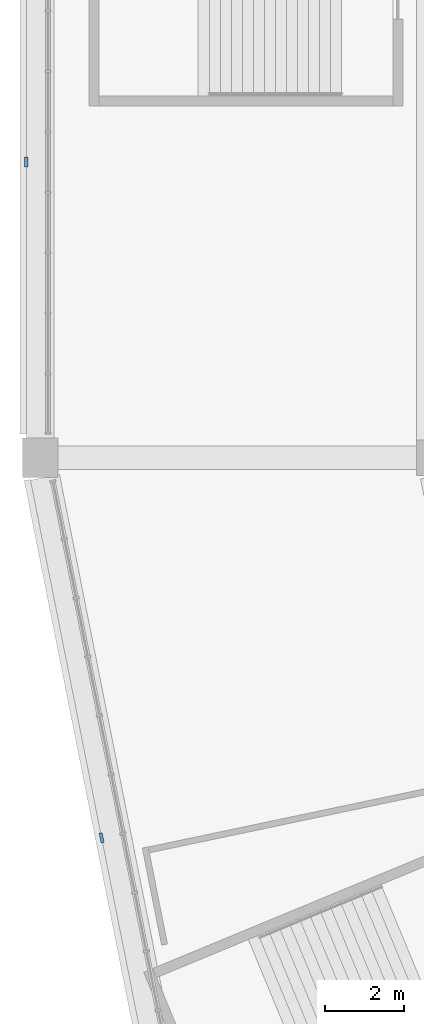
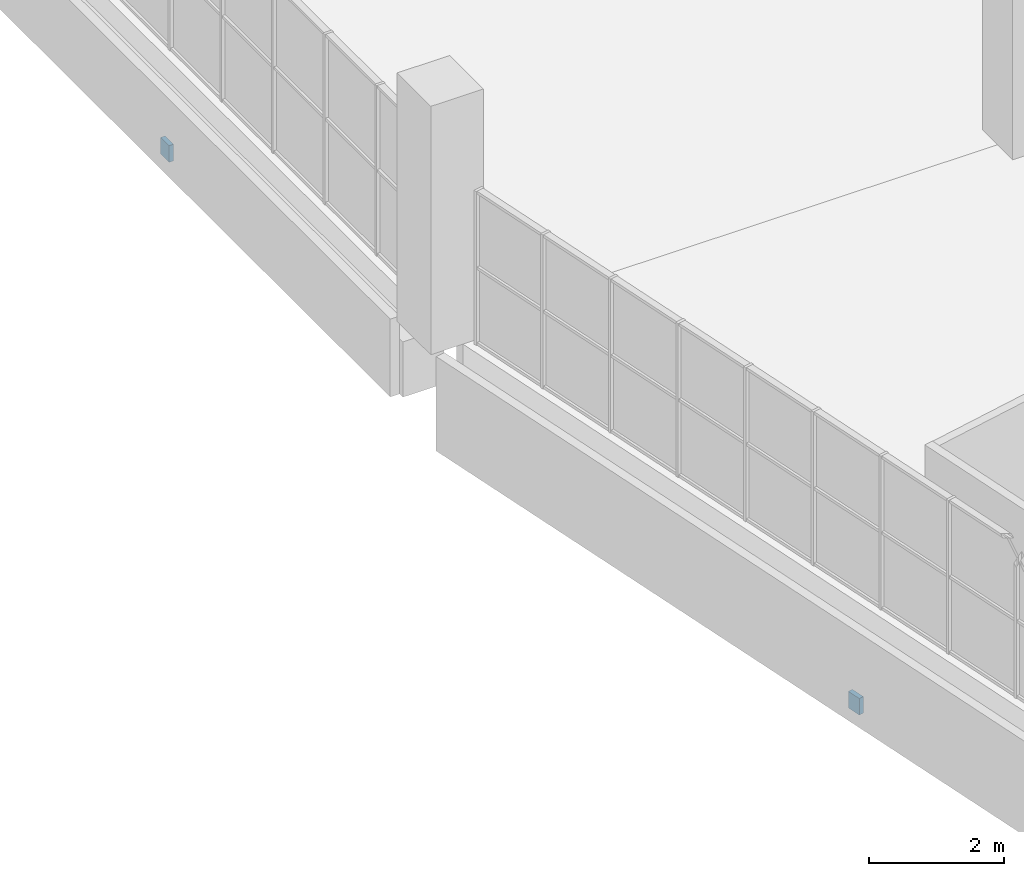
# One storey, part 93 of 199: 2 discrete accessories.
"""IFC4 building model written with IfcOpenShell, lengths in metres."""

import ifcopenshell
import ifcopenshell.guid

model = None  # the IFC model being written
_history = None  # IfcOwnerHistory: only IFC2X3 demands one
_inside = {}  # id of a spatial element -> (the spatial element, [elements in it])
_under = {}  # id of a project, library or spatial element -> (it, [spatial elements below it])
_declared = {}  # id of a project -> (the project, [libraries it declares])
_typed = {}  # id of a type object -> (the type object, [elements of that type])
_made_of = {}  # id of a material, layer set ... -> (it, [elements and type objects made of it])


def new_model(schema):
    """Start an empty IFC model of exactly this schema.

    Asked for "IFC4X3", IfcOpenShell would pick the latest addendum, in which some entities
    have other attributes; the version numbers below select the first issue.
    IFC2X3 requires an IfcOwnerHistory on every rooted entity: one is made here for all.
    """
    global model, _history
    if schema == "IFC4X3":
        model = ifcopenshell.file(schema_version=(4, 3, 0, 0))
    else:
        model = ifcopenshell.file(schema=schema)
    _inside.clear()
    _under.clear()
    _declared.clear()
    _typed.clear()
    _made_of.clear()
    _history = None
    if model.schema == "IFC2X3":
        org = make("IfcOrganization", Name="unknown")
        user = make(
            "IfcPersonAndOrganization",
            ThePerson=make("IfcPerson", FamilyName="unknown"),
            TheOrganization=org,
        )
        app = make(
            "IfcApplication",
            ApplicationDeveloper=org,
            Version="unknown",
            ApplicationFullName="unknown",
            ApplicationIdentifier="unknown",
        )
        _history = make(
            "IfcOwnerHistory",
            OwningUser=user,
            OwningApplication=app,
            ChangeAction="ADDED",
            CreationDate=0,
        )
    return model


def make(cls, **values):
    """One entity of the class cls with the attributes given. An attribute that is None is left unset."""
    return model.create_entity(
        cls, **{name: value for name, value in values.items() if value is not None}
    )


def rooted(cls, **values):
    """An entity with a GlobalId (a new one), such as an element, a storey or a relation."""
    return make(cls, GlobalId=ifcopenshell.guid.new(), OwnerHistory=_history, **values)


def si_unit(unit_type, name, prefix=None):
    """IfcSIUnit, for example si_unit("LENGTHUNIT", "METRE", prefix="MILLI")."""
    return make("IfcSIUnit", UnitType=unit_type, Prefix=prefix, Name=name)


def assignment(units):
    """IfcUnitAssignment: the units of a project."""
    return None if units is None else make("IfcUnitAssignment", Units=units)


def point(xyz):
    """IfcCartesianPoint."""
    return None if xyz is None else make("IfcCartesianPoint", Coordinates=xyz)


def direction(xyz):
    """IfcDirection."""
    return None if xyz is None else make("IfcDirection", DirectionRatios=xyz)


def frame(location, z_axis=None, x_axis=None):
    """IfcAxis2Placement3D, a coordinate frame: its origin and axes. An axis left out is left unset."""
    return make(
        "IfcAxis2Placement3D",
        Location=point(location),
        Axis=direction(z_axis),
        RefDirection=direction(x_axis),
    )


def frame_2d(location, x_axis=None):
    """IfcAxis2Placement2D, a coordinate frame in the plane: its origin and x axis."""
    return make(
        "IfcAxis2Placement2D", Location=point(location), RefDirection=direction(x_axis)
    )


def origin():
    """The frame at (0, 0, 0) with its axes left unset."""
    return frame((0.0, 0.0, 0.0))


def origin_2d():
    """The frame at (0, 0) in the plane with its x axis left unset."""
    return frame_2d((0.0, 0.0))


def place(relative_to, where):
    """IfcLocalPlacement: puts the frame where relative to a parent placement (None: the world)."""
    return make(
        "IfcLocalPlacement", PlacementRelTo=relative_to, RelativePlacement=where
    )


def context(
    kind, dimensions, precision=None, world=None, true_north=None, identifier=None
):
    """IfcGeometricRepresentationContext, for example the 3D "Model" context."""
    return make(
        "IfcGeometricRepresentationContext",
        ContextIdentifier=identifier,
        ContextType=kind,
        CoordinateSpaceDimension=dimensions,
        Precision=precision,
        WorldCoordinateSystem=world,
        TrueNorth=true_north,
    )


def subcontext(parent, identifier, kind, view, scale=None):
    """IfcGeometricRepresentationSubContext, for example "Body" below "Model"."""
    return make(
        "IfcGeometricRepresentationSubContext",
        ContextIdentifier=identifier,
        ContextType=kind,
        ParentContext=parent,
        TargetScale=scale,
        TargetView=view,
    )


def project(units=None, contexts=None):
    """IfcProject with its units and contexts."""
    return rooted(
        "IfcProject",
        Name="project",
        RepresentationContexts=contexts,
        UnitsInContext=assignment(units),
    )


def spatial(cls, under=None, at=None, **own):
    """A site, building, storey or space (cls), placed at a placement, below another one or the project."""
    s = rooted(cls, ObjectPlacement=at, **own)
    if under is not None:
        _under.setdefault(under.id(), (under, []))[1].append(s)
    return s


def profile(cls, at=None, kind="AREA", **sizes):
    """A parametric profile (cls). Its sizes go by their IFC names, for example OverallWidth=200.0."""
    return make(cls, ProfileType=kind, Position=at, **sizes)


def rectangle(**sizes):
    """IfcRectangleProfileDef."""
    return profile("IfcRectangleProfileDef", **sizes)


def extrude(swept, where, along, depth):
    """IfcExtrudedAreaSolid: the profile swept, set in the frame where, extruded along a direction by depth."""
    return make(
        "IfcExtrudedAreaSolid",
        SweptArea=swept,
        Position=where,
        ExtrudedDirection=direction(along),
        Depth=depth,
    )


def shape(context_of_items, identifier, shape_type, items):
    """IfcShapeRepresentation: the items that make up one representation, for example the "Body"."""
    return make(
        "IfcShapeRepresentation",
        ContextOfItems=context_of_items,
        RepresentationIdentifier=identifier,
        RepresentationType=shape_type,
        Items=items,
    )


def material(Name=None, Category=None):
    """IfcMaterial."""
    return make("IfcMaterial", Name=Name, Category=Category)


def layer(
    of_material, thickness, ventilated=None, Name=None, Category=None, Priority=None
):
    """IfcMaterialLayer: one layer of a wall or slab, of a material (None: an air gap)."""
    return make(
        "IfcMaterialLayer",
        Material=of_material,
        LayerThickness=thickness,
        IsVentilated=ventilated,
        Name=Name,
        Category=Category,
        Priority=Priority,
    )


def layer_set(layers, Name=None):
    """IfcMaterialLayerSet."""
    return make("IfcMaterialLayerSet", MaterialLayers=layers, LayerSetName=Name)


def made_of(thing, what):
    """Note that an element or type object is made of a material, layer set ...; save() writes the relation."""
    if what is not None:
        _made_of.setdefault(what.id(), (what, []))[1].append(thing)
    return thing


def type_object(cls, material=None, **own):
    """A type object (cls), such as IfcWallType, which elements share."""
    return made_of(rooted(cls, **own), material)


def element(
    cls,
    number,
    at=None,
    inside=None,
    cuts=None,
    type_object=None,
    material=None,
    context=None,
    identifier="Body",
    shape_type=None,
    held_by="IfcProductDefinitionShape",
    body=None,
    shapes=None,
    **own,
):
    """One element of the class cls, such as IfcWall. Its Tag is "e" and its number.

    at: its placement. inside: the storey or other place that contains it. cuts: it is an
    opening in that element (IfcRelVoidsElement). A single representation is given by context,
    identifier, shape_type and body (its items); several are given by shapes. held_by: the class
    of the entity that holds the representations. save() writes the other relations.
    """
    e = rooted(cls, Tag="e%d" % number, ObjectPlacement=at, **own)
    if body is not None:
        shapes = [shape(context, identifier, shape_type, body)]
    if shapes is not None:
        e.Representation = make(held_by, Representations=shapes)
    if inside is not None:
        _inside.setdefault(inside.id(), (inside, []))[1].append(e)
    if cuts is not None:
        rooted(
            "IfcRelVoidsElement", RelatingBuildingElement=cuts, RelatedOpeningElement=e
        )
    if type_object is not None:
        _typed.setdefault(type_object.id(), (type_object, []))[1].append(e)
    return made_of(e, material)


def aggregate(whole, parts):
    """IfcRelAggregates: a whole, such as a stair, and the parts it consists of."""
    return rooted("IfcRelAggregates", RelatingObject=whole, RelatedObjects=parts)


def save(model, path):
    """Write the relations noted so far, then the file.

    IfcRelAggregates (storeys below a building ...), IfcRelContainedInSpatialStructure (elements
    in a storey), IfcRelDefinesByType, IfcRelAssociatesMaterial and IfcRelDeclares: one each for
    every whole, place, type object, material and project.
    """
    for whole, parts in _under.values():
        aggregate(whole, parts)
    for where, things in _inside.values():
        rooted(
            "IfcRelContainedInSpatialStructure",
            RelatedElements=things,
            RelatingStructure=where,
        )
    for kind, things in _typed.values():
        rooted("IfcRelDefinesByType", RelatedObjects=things, RelatingType=kind)
    for what, things in _made_of.values():
        rooted("IfcRelAssociatesMaterial", RelatedObjects=things, RelatingMaterial=what)
    for by, libraries in _declared.values():
        rooted("IfcRelDeclares", RelatingContext=by, RelatedDefinitions=libraries)
    model.write(path)


model = new_model("IFC4")

# Units and contexts
model_context = context("Model", 3, precision=1e-05, world=origin(), true_north=direction((0.0, 1.0)))
body_context = subcontext(model_context, "Body", "Model", "MODEL_VIEW")
ifc_project = project(units=[si_unit("LENGTHUNIT", "METRE"), si_unit("AREAUNIT", "SQUARE_METRE"), si_unit("VOLUMEUNIT", "CUBIC_METRE"), si_unit("PLANEANGLEUNIT", "RADIAN"), si_unit("MASSUNIT", "GRAM", prefix="KILO")], contexts=[model_context])

# Site, building, storey
site_placement = place(None, origin())
site = spatial("IfcSite", under=ifc_project, at=site_placement, CompositionType="ELEMENT")
building_placement = place(site_placement, origin())
building = spatial("IfcBuilding", under=site, at=building_placement, Name="Ogive Plaza Stadium", CompositionType="ELEMENT")
storey_placement = place(building_placement, frame((0.0, 0.0, 4.5)))
storey = spatial("IfcBuildingStorey", under=building, at=storey_placement, Name="L01", CompositionType="ELEMENT", Elevation=4.5)

# Discrete accessories
ifc_material = material(Name="Steel ASTM A572 Grade 50", Category="steel")
ifc_layer = layer(ifc_material, 0.080078125)
ifc_layer_set = layer_set([ifc_layer], Name="Steel ASTM A572 Grade 50")
discrete_accessory_type = type_object("IfcDiscreteAccessoryType", Name="Spandrel cladding bracket 250x300", PredefinedType="BRACKET", material=ifc_layer_set)
for number, where, z_axis, x_axis, name in (
    (1, (-82.440185546875, -62.135498046875, -1.60986328125), (0.0, 0.0, 1.0), (-0.195090321965, 0.980785280413, 0.0), "SPANDREL BRACKET B20 L01"),
    (2, (-84.35009765625, -45.0, -1.31005859375), (0.0, 0.0, 1.0), (0.0, 1.0, 0.0), "SPANDREL BRACKET B21 L01"),
):
    element("IfcDiscreteAccessory", number, at=place(storey_placement, frame(where, z_axis=z_axis, x_axis=x_axis)), inside=storey, type_object=discrete_accessory_type, Name=name, PredefinedType="BRACKET", context=body_context, shape_type="SweptSolid", body=[
        extrude(rectangle(XDim=0.25, YDim=0.080078125, at=origin_2d()), origin(), (0.0, 0.0, 1.0), 0.300048828125),
    ])

save(model, "model.ifc")
